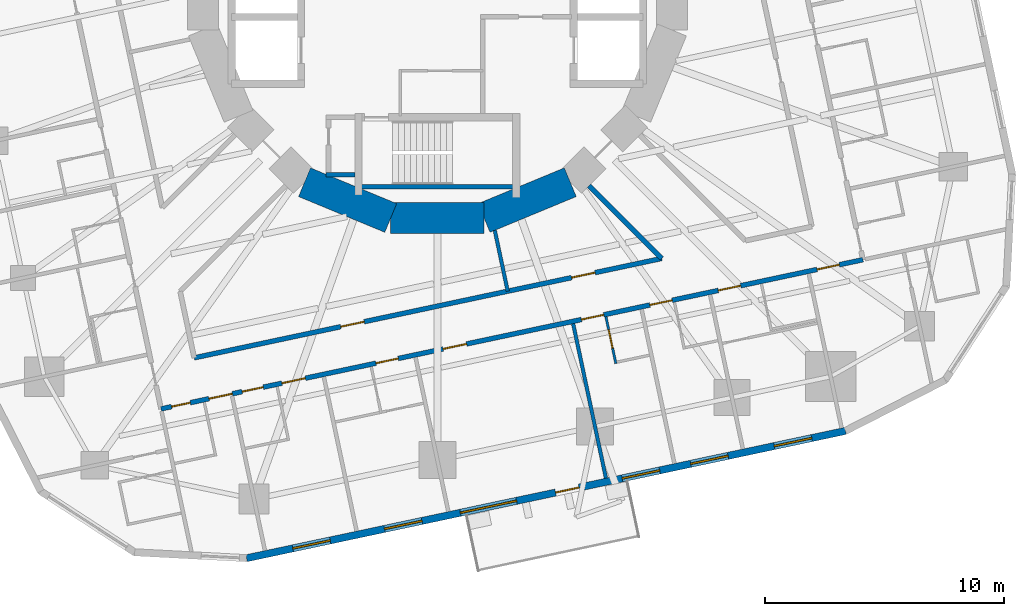
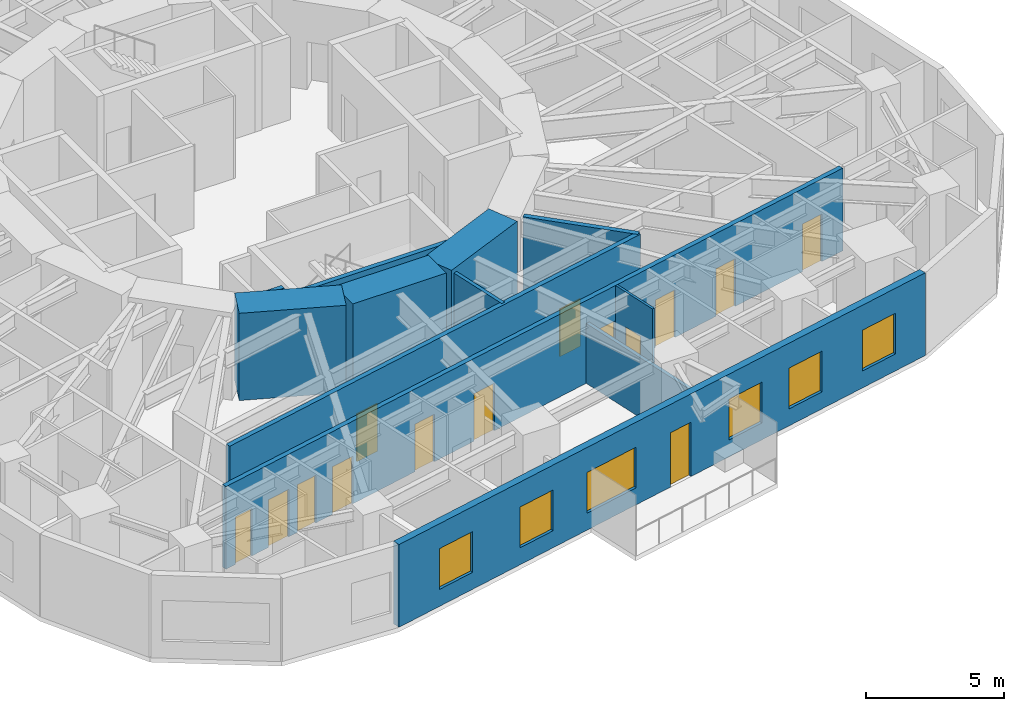
# One storey, part 5 of 14: 14 doors, 12 walls, 6 windows, 20 openings.
"""IFC4 building model written with IfcOpenShell, lengths in metres."""

import ifcopenshell
import ifcopenshell.guid

model = None  # the IFC model being written
_history = None  # IfcOwnerHistory: only IFC2X3 demands one
_inside = {}  # id of a spatial element -> (the spatial element, [elements in it])
_under = {}  # id of a project, library or spatial element -> (it, [spatial elements below it])
_declared = {}  # id of a project -> (the project, [libraries it declares])
_typed = {}  # id of a type object -> (the type object, [elements of that type])
_made_of = {}  # id of a material, layer set ... -> (it, [elements and type objects made of it])


def new_model(schema):
    """Start an empty IFC model of exactly this schema.

    Asked for "IFC4X3", IfcOpenShell would pick the latest addendum, in which some entities
    have other attributes; the version numbers below select the first issue.
    IFC2X3 requires an IfcOwnerHistory on every rooted entity: one is made here for all.
    """
    global model, _history
    if schema == "IFC4X3":
        model = ifcopenshell.file(schema_version=(4, 3, 0, 0))
    else:
        model = ifcopenshell.file(schema=schema)
    _inside.clear()
    _under.clear()
    _declared.clear()
    _typed.clear()
    _made_of.clear()
    _history = None
    if model.schema == "IFC2X3":
        org = make("IfcOrganization", Name="unknown")
        user = make(
            "IfcPersonAndOrganization",
            ThePerson=make("IfcPerson", FamilyName="unknown"),
            TheOrganization=org,
        )
        app = make(
            "IfcApplication",
            ApplicationDeveloper=org,
            Version="unknown",
            ApplicationFullName="unknown",
            ApplicationIdentifier="unknown",
        )
        _history = make(
            "IfcOwnerHistory",
            OwningUser=user,
            OwningApplication=app,
            ChangeAction="ADDED",
            CreationDate=0,
        )
    return model


def make(cls, **values):
    """One entity of the class cls with the attributes given. An attribute that is None is left unset."""
    return model.create_entity(
        cls, **{name: value for name, value in values.items() if value is not None}
    )


def rooted(cls, **values):
    """An entity with a GlobalId (a new one), such as an element, a storey or a relation."""
    return make(cls, GlobalId=ifcopenshell.guid.new(), OwnerHistory=_history, **values)


def si_unit(unit_type, name, prefix=None):
    """IfcSIUnit, for example si_unit("LENGTHUNIT", "METRE", prefix="MILLI")."""
    return make("IfcSIUnit", UnitType=unit_type, Prefix=prefix, Name=name)


def assignment(units):
    """IfcUnitAssignment: the units of a project."""
    return None if units is None else make("IfcUnitAssignment", Units=units)


def point(xyz):
    """IfcCartesianPoint."""
    return None if xyz is None else make("IfcCartesianPoint", Coordinates=xyz)


def direction(xyz):
    """IfcDirection."""
    return None if xyz is None else make("IfcDirection", DirectionRatios=xyz)


def frame(location, z_axis=None, x_axis=None):
    """IfcAxis2Placement3D, a coordinate frame: its origin and axes. An axis left out is left unset."""
    return make(
        "IfcAxis2Placement3D",
        Location=point(location),
        Axis=direction(z_axis),
        RefDirection=direction(x_axis),
    )


def frame_2d(location, x_axis=None):
    """IfcAxis2Placement2D, a coordinate frame in the plane: its origin and x axis."""
    return make(
        "IfcAxis2Placement2D", Location=point(location), RefDirection=direction(x_axis)
    )


def origin():
    """The frame at (0, 0, 0) with its axes left unset."""
    return frame((0.0, 0.0, 0.0))


def place(relative_to, where):
    """IfcLocalPlacement: puts the frame where relative to a parent placement (None: the world)."""
    return make(
        "IfcLocalPlacement", PlacementRelTo=relative_to, RelativePlacement=where
    )


def context(
    kind, dimensions, precision=None, world=None, true_north=None, identifier=None
):
    """IfcGeometricRepresentationContext, for example the 3D "Model" context."""
    return make(
        "IfcGeometricRepresentationContext",
        ContextIdentifier=identifier,
        ContextType=kind,
        CoordinateSpaceDimension=dimensions,
        Precision=precision,
        WorldCoordinateSystem=world,
        TrueNorth=true_north,
    )


def subcontext(parent, identifier, kind, view, scale=None):
    """IfcGeometricRepresentationSubContext, for example "Body" below "Model"."""
    return make(
        "IfcGeometricRepresentationSubContext",
        ContextIdentifier=identifier,
        ContextType=kind,
        ParentContext=parent,
        TargetScale=scale,
        TargetView=view,
    )


def project(units=None, contexts=None):
    """IfcProject with its units and contexts."""
    return rooted(
        "IfcProject",
        Name="project",
        RepresentationContexts=contexts,
        UnitsInContext=assignment(units),
    )


def spatial(cls, under=None, at=None, **own):
    """A site, building, storey or space (cls), placed at a placement, below another one or the project."""
    s = rooted(cls, ObjectPlacement=at, **own)
    if under is not None:
        _under.setdefault(under.id(), (under, []))[1].append(s)
    return s


def profile(cls, at=None, kind="AREA", **sizes):
    """A parametric profile (cls). Its sizes go by their IFC names, for example OverallWidth=200.0."""
    return make(cls, ProfileType=kind, Position=at, **sizes)


def rectangle(**sizes):
    """IfcRectangleProfileDef."""
    return profile("IfcRectangleProfileDef", **sizes)


def extrude(swept, where, along, depth):
    """IfcExtrudedAreaSolid: the profile swept, set in the frame where, extruded along a direction by depth."""
    return make(
        "IfcExtrudedAreaSolid",
        SweptArea=swept,
        Position=where,
        ExtrudedDirection=direction(along),
        Depth=depth,
    )


def shape(context_of_items, identifier, shape_type, items):
    """IfcShapeRepresentation: the items that make up one representation, for example the "Body"."""
    return make(
        "IfcShapeRepresentation",
        ContextOfItems=context_of_items,
        RepresentationIdentifier=identifier,
        RepresentationType=shape_type,
        Items=items,
    )


def material(Name=None, Category=None):
    """IfcMaterial."""
    return make("IfcMaterial", Name=Name, Category=Category)


def layer(
    of_material, thickness, ventilated=None, Name=None, Category=None, Priority=None
):
    """IfcMaterialLayer: one layer of a wall or slab, of a material (None: an air gap)."""
    return make(
        "IfcMaterialLayer",
        Material=of_material,
        LayerThickness=thickness,
        IsVentilated=ventilated,
        Name=Name,
        Category=Category,
        Priority=Priority,
    )


def layer_set(layers, Name=None):
    """IfcMaterialLayerSet."""
    return make("IfcMaterialLayerSet", MaterialLayers=layers, LayerSetName=Name)


def made_of(thing, what):
    """Note that an element or type object is made of a material, layer set ...; save() writes the relation."""
    if what is not None:
        _made_of.setdefault(what.id(), (what, []))[1].append(thing)
    return thing


def type_object(cls, material=None, **own):
    """A type object (cls), such as IfcWallType, which elements share."""
    return made_of(rooted(cls, **own), material)


def element(
    cls,
    number,
    at=None,
    inside=None,
    cuts=None,
    type_object=None,
    material=None,
    context=None,
    identifier="Body",
    shape_type=None,
    held_by="IfcProductDefinitionShape",
    body=None,
    shapes=None,
    **own,
):
    """One element of the class cls, such as IfcWall. Its Tag is "e" and its number.

    at: its placement. inside: the storey or other place that contains it. cuts: it is an
    opening in that element (IfcRelVoidsElement). A single representation is given by context,
    identifier, shape_type and body (its items); several are given by shapes. held_by: the class
    of the entity that holds the representations. save() writes the other relations.
    """
    e = rooted(cls, Tag="e%d" % number, ObjectPlacement=at, **own)
    if body is not None:
        shapes = [shape(context, identifier, shape_type, body)]
    if shapes is not None:
        e.Representation = make(held_by, Representations=shapes)
    if inside is not None:
        _inside.setdefault(inside.id(), (inside, []))[1].append(e)
    if cuts is not None:
        rooted(
            "IfcRelVoidsElement", RelatingBuildingElement=cuts, RelatedOpeningElement=e
        )
    if type_object is not None:
        _typed.setdefault(type_object.id(), (type_object, []))[1].append(e)
    return made_of(e, material)


def fill(opening, filler):
    """IfcRelFillsElement: the door or window that sits in an opening."""
    return rooted(
        "IfcRelFillsElement",
        RelatingOpeningElement=opening,
        RelatedBuildingElement=filler,
    )


def aggregate(whole, parts):
    """IfcRelAggregates: a whole, such as a stair, and the parts it consists of."""
    return rooted("IfcRelAggregates", RelatingObject=whole, RelatedObjects=parts)


def save(model, path):
    """Write the relations noted so far, then the file.

    IfcRelAggregates (storeys below a building ...), IfcRelContainedInSpatialStructure (elements
    in a storey), IfcRelDefinesByType, IfcRelAssociatesMaterial and IfcRelDeclares: one each for
    every whole, place, type object, material and project.
    """
    for whole, parts in _under.values():
        aggregate(whole, parts)
    for where, things in _inside.values():
        rooted(
            "IfcRelContainedInSpatialStructure",
            RelatedElements=things,
            RelatingStructure=where,
        )
    for kind, things in _typed.values():
        rooted("IfcRelDefinesByType", RelatedObjects=things, RelatingType=kind)
    for what, things in _made_of.values():
        rooted("IfcRelAssociatesMaterial", RelatedObjects=things, RelatingMaterial=what)
    for by, libraries in _declared.values():
        rooted("IfcRelDeclares", RelatingContext=by, RelatedDefinitions=libraries)
    model.write(path)


model = new_model("IFC4")

# Units and contexts
model_context = context("Model", 3, precision=1e-05, world=origin(), true_north=direction((0.0, 1.0)))
body_context = subcontext(model_context, "Body", "Model", "MODEL_VIEW")
ifc_project = project(units=[si_unit("LENGTHUNIT", "METRE"), si_unit("AREAUNIT", "SQUARE_METRE"), si_unit("VOLUMEUNIT", "CUBIC_METRE"), si_unit("PLANEANGLEUNIT", "RADIAN"), si_unit("MASSUNIT", "GRAM", prefix="KILO")], contexts=[model_context])

# Site, building, storey
site_placement = place(None, origin())
site = spatial("IfcSite", under=ifc_project, at=site_placement, CompositionType="ELEMENT")
building_placement = place(site_placement, origin())
building = spatial("IfcBuilding", under=site, at=building_placement, Name="Nakasero Lantern House", CompositionType="ELEMENT")
storey_placement = place(building_placement, frame((0.0, 0.0, 120.39990234375)))
storey = spatial("IfcBuildingStorey", under=building, at=storey_placement, Name="L29", CompositionType="ELEMENT", Elevation=120.39990234375)

# Walls
ifc_material_1 = material(Name="Concrete C50/60", Category="concrete")
ifc_layer_1 = layer(ifc_material_1, 1.300048828125)
ifc_layer_set_1 = layer_set([ifc_layer_1], Name="Core wall 1300")
wall_type_1 = type_object("IfcWallType", Name="Core wall 1300", PredefinedType="SHEAR", material=ifc_layer_set_1)
for number, where, z_axis, x_axis, name in (
    (1, (-5.5556640625, -8.314697265625, 0.0), (0.0, 0.0, 1.0), (0.923876507187, -0.382690736062, 0.0), "Core wall L29 facet 11"),
    (2, (-1.950927734375, -9.807861328125, 0.0), (0.0, 0.0, 1.0), (1.0, 0.0, 0.0), "Core wall L29 facet 12"),
    (3, (1.950927734375, -9.807861328125, 0.0), (0.0, 0.0, 1.0), (0.923876507187, 0.382690736062, 0.0), "Core wall L29 facet 13"),
):
    element("IfcWall", number, at=place(storey_placement, frame(where, z_axis=z_axis, x_axis=x_axis)), inside=storey, type_object=wall_type_1, Name=name, PredefinedType="SHEAR", context=body_context, shape_type="SweptSolid", body=[
        extrude(rectangle(XDim=3.90185546875, YDim=1.300048828125, at=frame_2d((1.950927734375, 0.0))), origin(), (0.0, 0.0, 1.0), 3.85009765625),
    ])

# Wall, openings, doors
ifc_material_2 = material(Name="Blockwork", Category="masonry")
ifc_layer_2 = layer(ifc_material_2, 0.199951171875)
ifc_layer_set_2 = layer_set([ifc_layer_2], Name="Corridor wall 200")
wall_type_2 = type_object("IfcWallType", Name="Corridor wall 200", PredefinedType="PARTITIONING", material=ifc_layer_set_2)
wall_1_placement = place(storey_placement, frame((-11.553466796875, -17.790771484375, 0.0), z_axis=(0.0, 0.0, 1.0), x_axis=(0.978147639417, 0.207911508826, 0.0)))
wall_1 = element("IfcWall", 4, at=wall_1_placement, inside=storey, type_object=wall_type_2, Name="Corridor wall L29 CW3", PredefinedType="PARTITIONING", context=body_context, shape_type="SweptSolid", body=[
    extrude(rectangle(XDim=29.999755859375, YDim=0.199951171875, at=frame_2d((15.0, 0.0))), origin(), (0.0, 0.0, 1.0), 3.650146484375),
])
opening_1_placement = place(wall_1_placement, frame((0.449951171875, 0.0, 0.0)))
opening_1 = element("IfcOpeningElement", 5, at=opening_1_placement, cuts=wall_1, Name="Opening D15", PredefinedType="OPENING", context=body_context, shape_type="SweptSolid", body=[
    extrude(rectangle(XDim=0.800048828125, YDim=2.10009765625, at=frame_2d((0.39990234375, 1.050048828125))), frame((0.0, 0.119873046875, 0.0), z_axis=(0.0, -1.0, 0.0), x_axis=(1.0, 0.0, 0.0)), (0.0, 0.0, 1.0), 0.239990234375),
])
opening_2_placement = place(wall_1_placement, frame((2.050048828125, 0.0, 0.0)))
opening_2 = element("IfcOpeningElement", 6, at=opening_2_placement, cuts=wall_1, Name="Opening D07", PredefinedType="OPENING", context=body_context, shape_type="SweptSolid", body=[
    extrude(rectangle(XDim=1.0, YDim=2.10009765625, at=frame_2d((0.5, 1.050048828125))), frame((0.0, 0.119873046875, 0.0), z_axis=(0.0, -1.0, 0.0), x_axis=(1.0, 0.0, 0.0)), (0.0, 0.0, 1.0), 0.239990234375),
])
opening_3_placement = place(wall_1_placement, frame((3.466064453125, 0.0, 0.0)))
opening_3 = element("IfcOpeningElement", 7, at=opening_3_placement, cuts=wall_1, Name="Opening D16", PredefinedType="OPENING", context=body_context, shape_type="SweptSolid", body=[
    extrude(rectangle(XDim=0.89990234375, YDim=2.10009765625, at=frame_2d((0.449951171875, 1.050048828125))), frame((0.0, 0.119873046875, 0.0), z_axis=(0.0, -1.0, 0.0), x_axis=(1.0, 0.0, 0.0)), (0.0, 0.0, 1.0), 0.239990234375),
])
opening_4_placement = place(wall_1_placement, frame((5.166015625, 0.0, 0.0)))
opening_4 = element("IfcOpeningElement", 8, at=opening_4_placement, cuts=wall_1, Name="Opening D07", PredefinedType="OPENING", context=body_context, shape_type="SweptSolid", body=[
    extrude(rectangle(XDim=1.0, YDim=2.10009765625, at=frame_2d((0.5, 1.050048828125))), frame((0.0, 0.119873046875, 0.0), z_axis=(0.0, -1.0, 0.0), x_axis=(1.0, 0.0, 0.0)), (0.0, 0.0, 1.0), 0.239990234375),
])
opening_5_placement = place(wall_1_placement, frame((9.185546875, 0.0, 0.0)))
opening_5 = element("IfcOpeningElement", 9, at=opening_5_placement, cuts=wall_1, Name="Opening D01", PredefinedType="OPENING", context=body_context, shape_type="SweptSolid", body=[
    extrude(rectangle(XDim=0.949951171875, YDim=2.10009765625, at=frame_2d((0.47509765625, 1.050048828125))), frame((0.0, 0.119873046875, 0.0), z_axis=(0.0, -1.0, 0.0), x_axis=(1.0, 0.0, 0.0)), (0.0, 0.0, 1.0), 0.239990234375),
])
opening_6_placement = place(wall_1_placement, frame((17.967529296875, 0.0, 0.0)))
opening_6 = element("IfcOpeningElement", 10, at=opening_6_placement, cuts=wall_1, Name="Opening D01", PredefinedType="OPENING", context=body_context, shape_type="SweptSolid", body=[
    extrude(rectangle(XDim=0.949951171875, YDim=2.10009765625, at=frame_2d((0.47509765625, 1.050048828125))), frame((0.0, 0.119873046875, 0.0), z_axis=(0.0, -1.0, 0.0), x_axis=(1.0, 0.0, 0.0)), (0.0, 0.0, 1.0), 0.239990234375),
])
opening_7_placement = place(wall_1_placement, frame((20.89404296875, 0.0, 0.0)))
opening_7 = element("IfcOpeningElement", 11, at=opening_7_placement, cuts=wall_1, Name="Opening D01", PredefinedType="OPENING", context=body_context, shape_type="SweptSolid", body=[
    extrude(rectangle(XDim=0.949951171875, YDim=2.10009765625, at=frame_2d((0.47509765625, 1.050048828125))), frame((0.0, 0.119873046875, 0.0), z_axis=(0.0, -1.0, 0.0), x_axis=(1.0, 0.0, 0.0)), (0.0, 0.0, 1.0), 0.239990234375),
])
opening_8_placement = place(wall_1_placement, frame((23.8203125, 0.0, 0.0)))
opening_8 = element("IfcOpeningElement", 12, at=opening_8_placement, cuts=wall_1, Name="Opening D01", PredefinedType="OPENING", context=body_context, shape_type="SweptSolid", body=[
    extrude(rectangle(XDim=0.949951171875, YDim=2.10009765625, at=frame_2d((0.47509765625, 1.050048828125))), frame((0.0, 0.119873046875, 0.0), z_axis=(0.0, -1.0, 0.0), x_axis=(1.0, 0.0, 0.0)), (0.0, 0.0, 1.0), 0.239990234375),
])
opening_9_placement = place(wall_1_placement, frame((28.038330078125, 0.0, 0.0)))
opening_9 = element("IfcOpeningElement", 13, at=opening_9_placement, cuts=wall_1, Name="Opening D01", PredefinedType="OPENING", context=body_context, shape_type="SweptSolid", body=[
    extrude(rectangle(XDim=0.949951171875, YDim=2.10009765625, at=frame_2d((0.47509765625, 1.050048828125))), frame((0.0, 0.119873046875, 0.0), z_axis=(0.0, -1.0, 0.0), x_axis=(1.0, 0.0, 0.0)), (0.0, 0.0, 1.0), 0.239990234375),
])
opening_10_placement = place(wall_1_placement, frame((12.05517578125, 0.0, 0.0)))
opening_10 = element("IfcOpeningElement", 14, at=opening_10_placement, cuts=wall_1, Name="Opening D03", PredefinedType="OPENING", context=body_context, shape_type="SweptSolid", body=[
    extrude(rectangle(XDim=1.0, YDim=2.10009765625, at=frame_2d((0.5, 1.050048828125))), frame((0.0, 0.119873046875, 0.0), z_axis=(0.0, -1.0, 0.0), x_axis=(1.0, 0.0, 0.0)), (0.0, 0.0, 1.0), 0.239990234375),
])
ifc_material_3 = material(Name="Timber C24", Category="wood")
door_type_1 = type_object("IfcDoorType", Name="Accessible WC door 900", OperationType="SINGLE_SWING_RIGHT", PredefinedType="DOOR", material=ifc_material_3)
door_1_placement = place(opening_3_placement, origin())
door_1 = element("IfcDoor", 15, at=door_1_placement, inside=storey, type_object=door_type_1, Name="Door L29 DS3-01", OperationType="SINGLE_SWING_LEFT", OverallHeight=2.10009765625, OverallWidth=0.89990234375, PredefinedType="DOOR", context=body_context, shape_type="SweptSolid", body=[
    extrude(rectangle(XDim=0.89990234375, YDim=2.10009765625, at=frame_2d((0.449951171875, 1.050048828125))), frame((0.0, 0.02490234375, 0.0), z_axis=(0.0, -1.0, 0.0), x_axis=(1.0, 0.0, 0.0)), (0.0, 0.0, 1.0), 0.050048828125),
])
fill(opening_3, door_1)
ifc_material_4 = material(Name="Timber C24", Category="wood")
door_type_2 = type_object("IfcDoorType", Name="Bedroom door FD30S 950", OperationType="SINGLE_SWING_LEFT", PredefinedType="DOOR", material=ifc_material_4)
door_2_placement = place(opening_5_placement, origin())
door_2 = element("IfcDoor", 16, at=door_2_placement, inside=storey, type_object=door_type_2, Name="Door L29 D3-02", OperationType="SINGLE_SWING_LEFT", OverallHeight=2.10009765625, OverallWidth=0.949951171875, PredefinedType="DOOR", context=body_context, shape_type="SweptSolid", body=[
    extrude(rectangle(XDim=0.949951171875, YDim=2.10009765625, at=frame_2d((0.47509765625, 1.050048828125))), frame((0.0, 0.02490234375, 0.0), z_axis=(0.0, -1.0, 0.0), x_axis=(1.0, 0.0, 0.0)), (0.0, 0.0, 1.0), 0.050048828125),
])
fill(opening_5, door_2)
door_3_placement = place(opening_6_placement, origin())
door_3 = element("IfcDoor", 17, at=door_3_placement, inside=storey, type_object=door_type_2, Name="Door L29 D3-05", OperationType="SINGLE_SWING_RIGHT", OverallHeight=2.10009765625, OverallWidth=0.949951171875, PredefinedType="DOOR", context=body_context, shape_type="SweptSolid", body=[
    extrude(rectangle(XDim=0.949951171875, YDim=2.10009765625, at=frame_2d((0.47509765625, 1.050048828125))), frame((0.0, 0.02490234375, 0.0), z_axis=(0.0, -1.0, 0.0), x_axis=(1.0, 0.0, 0.0)), (0.0, 0.0, 1.0), 0.050048828125),
])
fill(opening_6, door_3)
door_4_placement = place(opening_7_placement, origin())
door_4 = element("IfcDoor", 18, at=door_4_placement, inside=storey, type_object=door_type_2, Name="Door L29 D3-06", OperationType="SINGLE_SWING_RIGHT", OverallHeight=2.10009765625, OverallWidth=0.949951171875, PredefinedType="DOOR", context=body_context, shape_type="SweptSolid", body=[
    extrude(rectangle(XDim=0.949951171875, YDim=2.10009765625, at=frame_2d((0.47509765625, 1.050048828125))), frame((0.0, 0.02490234375, 0.0), z_axis=(0.0, -1.0, 0.0), x_axis=(1.0, 0.0, 0.0)), (0.0, 0.0, 1.0), 0.050048828125),
])
fill(opening_7, door_4)
door_5_placement = place(opening_8_placement, origin())
door_5 = element("IfcDoor", 19, at=door_5_placement, inside=storey, type_object=door_type_2, Name="Door L29 D3-07", OperationType="SINGLE_SWING_RIGHT", OverallHeight=2.10009765625, OverallWidth=0.949951171875, PredefinedType="DOOR", context=body_context, shape_type="SweptSolid", body=[
    extrude(rectangle(XDim=0.949951171875, YDim=2.10009765625, at=frame_2d((0.47509765625, 1.050048828125))), frame((0.0, 0.02490234375, 0.0), z_axis=(0.0, -1.0, 0.0), x_axis=(1.0, 0.0, 0.0)), (0.0, 0.0, 1.0), 0.050048828125),
])
fill(opening_8, door_5)
door_6_placement = place(opening_9_placement, origin())
door_6 = element("IfcDoor", 20, at=door_6_placement, inside=storey, type_object=door_type_2, Name="Door L29 D3-08", OperationType="SINGLE_SWING_RIGHT", OverallHeight=2.10009765625, OverallWidth=0.949951171875, PredefinedType="DOOR", context=body_context, shape_type="SweptSolid", body=[
    extrude(rectangle(XDim=0.949951171875, YDim=2.10009765625, at=frame_2d((0.47509765625, 1.050048828125))), frame((0.0, 0.02490234375, 0.0), z_axis=(0.0, -1.0, 0.0), x_axis=(1.0, 0.0, 0.0)), (0.0, 0.0, 1.0), 0.050048828125),
])
fill(opening_9, door_6)
ifc_material_5 = material(Name="Timber C24", Category="wood")
door_type_3 = type_object("IfcDoorType", Name="Cleaner's store door FD30S 800", OperationType="SINGLE_SWING_LEFT", PredefinedType="DOOR", material=ifc_material_5)
door_7_placement = place(opening_1_placement, origin())
door_7 = element("IfcDoor", 21, at=door_7_placement, inside=storey, type_object=door_type_3, Name="Door L29 DS3-00", OperationType="SINGLE_SWING_LEFT", OverallHeight=2.10009765625, OverallWidth=0.800048828125, PredefinedType="DOOR", context=body_context, shape_type="SweptSolid", body=[
    extrude(rectangle(XDim=0.800048828125, YDim=2.10009765625, at=frame_2d((0.39990234375, 1.050048828125))), frame((0.0, 0.02490234375, 0.0), z_axis=(0.0, -1.0, 0.0), x_axis=(1.0, 0.0, 0.0)), (0.0, 0.0, 1.0), 0.050048828125),
])
fill(opening_1, door_7)
ifc_material_6 = material(Name="Timber C24", Category="wood")
door_type_4 = type_object("IfcDoorType", Name="Lounge door FD30S 1000", OperationType="SINGLE_SWING_LEFT", PredefinedType="DOOR", material=ifc_material_6)
door_8_placement = place(opening_10_placement, origin())
door_8 = element("IfcDoor", 22, at=door_8_placement, inside=storey, type_object=door_type_4, Name="Door L29 DK3", OperationType="SINGLE_SWING_LEFT", OverallHeight=2.10009765625, OverallWidth=1.0, PredefinedType="DOOR", context=body_context, shape_type="SweptSolid", body=[
    extrude(rectangle(XDim=1.0, YDim=2.10009765625, at=frame_2d((0.5, 1.050048828125))), frame((0.0, 0.02490234375, 0.0), z_axis=(0.0, -1.0, 0.0), x_axis=(1.0, 0.0, 0.0)), (0.0, 0.0, 1.0), 0.050048828125),
])
fill(opening_10, door_8)
ifc_material_7 = material(Name="Timber C24", Category="wood")
door_type_5 = type_object("IfcDoorType", Name="Room door FD30S 1000", OperationType="SINGLE_SWING_LEFT", PredefinedType="DOOR", material=ifc_material_7)
door_9_placement = place(opening_2_placement, origin())
door_9 = element("IfcDoor", 23, at=door_9_placement, inside=storey, type_object=door_type_5, Name="Door L29 D3-00", OperationType="SINGLE_SWING_LEFT", OverallHeight=2.10009765625, OverallWidth=1.0, PredefinedType="DOOR", context=body_context, shape_type="SweptSolid", body=[
    extrude(rectangle(XDim=1.0, YDim=2.10009765625, at=frame_2d((0.5, 1.050048828125))), frame((0.0, 0.02490234375, 0.0), z_axis=(0.0, -1.0, 0.0), x_axis=(1.0, 0.0, 0.0)), (0.0, 0.0, 1.0), 0.050048828125),
])
fill(opening_2, door_9)
door_10_placement = place(opening_4_placement, origin())
door_10 = element("IfcDoor", 24, at=door_10_placement, inside=storey, type_object=door_type_5, Name="Door L29 D3-01", OperationType="SINGLE_SWING_LEFT", OverallHeight=2.10009765625, OverallWidth=1.0, PredefinedType="DOOR", context=body_context, shape_type="SweptSolid", body=[
    extrude(rectangle(XDim=1.0, YDim=2.10009765625, at=frame_2d((0.5, 1.050048828125))), frame((0.0, 0.02490234375, 0.0), z_axis=(0.0, -1.0, 0.0), x_axis=(1.0, 0.0, 0.0)), (0.0, 0.0, 1.0), 0.050048828125),
])
fill(opening_4, door_10)

wall_2_placement = place(storey_placement, frame((-10.1669921875, -15.656005859375, 0.0), z_axis=(0.0, 0.0, 1.0), x_axis=(0.978147920132, 0.20791018816, 0.0)))
wall_2 = element("IfcWall", 25, at=wall_2_placement, inside=storey, type_object=wall_type_2, Name="Corridor wall L29 IW3-0", PredefinedType="PARTITIONING", context=body_context, shape_type="SweptSolid", body=[
    extrude(rectangle(XDim=19.983642578125, YDim=0.199951171875, at=frame_2d((9.99169921875, 0.0))), origin(), (0.0, 0.0, 1.0), 3.650146484375),
])
opening_11_placement = place(wall_2_placement, frame((6.262451171875, 0.0, 0.0)))
opening_11 = element("IfcOpeningElement", 26, at=opening_11_placement, cuts=wall_2, Name="Opening D07", PredefinedType="OPENING", context=body_context, shape_type="SweptSolid", body=[
    extrude(rectangle(XDim=1.0, YDim=2.10009765625, at=frame_2d((0.5, 1.050048828125))), frame((0.0, 0.119873046875, 0.0), z_axis=(0.0, -1.0, 0.0), x_axis=(1.0, 0.0, 0.0)), (0.0, 0.0, 1.0), 0.239990234375),
])
opening_12_placement = place(wall_2_placement, frame((16.12939453125, 0.0, 0.0)))
opening_12 = element("IfcOpeningElement", 27, at=opening_12_placement, cuts=wall_2, Name="Opening D07", PredefinedType="OPENING", context=body_context, shape_type="SweptSolid", body=[
    extrude(rectangle(XDim=1.0, YDim=2.10009765625, at=frame_2d((0.5, 1.050048828125))), frame((0.0, 0.119873046875, 0.0), z_axis=(0.0, -1.0, 0.0), x_axis=(1.0, 0.0, 0.0)), (0.0, 0.0, 1.0), 0.239990234375),
])
door_11_placement = place(opening_11_placement, origin())
door_11 = element("IfcDoor", 28, at=door_11_placement, inside=storey, type_object=door_type_5, Name="Door L29 DI1", OperationType="SINGLE_SWING_LEFT", OverallHeight=2.10009765625, OverallWidth=1.0, PredefinedType="DOOR", context=body_context, shape_type="SweptSolid", body=[
    extrude(rectangle(XDim=1.0, YDim=2.10009765625, at=frame_2d((0.5, 1.050048828125))), frame((0.0, 0.02490234375, 0.0), z_axis=(0.0, -1.0, 0.0), x_axis=(1.0, 0.0, 0.0)), (0.0, 0.0, 1.0), 0.050048828125),
])
fill(opening_11, door_11)
door_12_placement = place(opening_12_placement, origin())
door_12 = element("IfcDoor", 29, at=door_12_placement, inside=storey, type_object=door_type_5, Name="Door L29 DI2", OperationType="SINGLE_SWING_RIGHT", OverallHeight=2.10009765625, OverallWidth=1.0, PredefinedType="DOOR", context=body_context, shape_type="SweptSolid", body=[
    extrude(rectangle(XDim=1.0, YDim=2.10009765625, at=frame_2d((0.5, 1.050048828125))), frame((0.0, 0.02490234375, 0.0), z_axis=(0.0, -1.0, 0.0), x_axis=(1.0, 0.0, 0.0)), (0.0, 0.0, 1.0), 0.050048828125),
])
fill(opening_12, door_12)

# Wall
wall_3_placement = place(storey_placement, frame((6.334228515625, -8.45556640625, 0.0), z_axis=(0.0, 0.0, 1.0), x_axis=(0.707106781187, -0.707106781187, 0.0)))
element("IfcWall", 30, at=wall_3_placement, inside=storey, type_object=wall_type_2, Name="Corridor wall L29 PS14b", PredefinedType="PARTITIONING", context=body_context, shape_type="SweptSolid", body=[
    extrude(rectangle(XDim=4.30712890625, YDim=0.199951171875, at=frame_2d((2.153564453125, 0.0))), origin(), (0.0, 0.0, 1.0), 3.650146484375),
])

# Wall, opening, door
ifc_material_8 = material(Name="Blockwork", Category="masonry")
ifc_layer_3 = layer(ifc_material_8, 0.10009765625)
ifc_layer_set_3 = layer_set([ifc_layer_3], Name="En-suite wall 100")
wall_type_3 = type_object("IfcWallType", Name="En-suite wall 100", PredefinedType="PARTITIONING", material=ifc_layer_set_3)
wall_4_placement = place(storey_placement, frame((7.046142578125, -13.939697265625, 0.0), z_axis=(0.0, 0.0, 1.0), x_axis=(0.207886494942, -0.978152955943, 0.0)))
wall_4 = element("IfcWall", 31, at=wall_4_placement, inside=storey, type_object=wall_type_3, Name="En-suite wall L29 ES3-05", PredefinedType="PARTITIONING", context=body_context, shape_type="SweptSolid", body=[
    extrude(rectangle(XDim=2.0, YDim=0.10009765625, at=frame_2d((1.0, 0.0))), origin(), (0.0, 0.0, 1.0), 3.650146484375),
])
opening_13_placement = place(wall_4_placement, frame((0.550048828125, 0.0, 0.0)))
opening_13 = element("IfcOpeningElement", 32, at=opening_13_placement, cuts=wall_4, Name="Opening D02", PredefinedType="OPENING", context=body_context, shape_type="SweptSolid", body=[
    extrude(rectangle(XDim=0.800048828125, YDim=2.10009765625, at=frame_2d((0.39990234375, 1.050048828125))), frame((0.0, 0.070068359375, 0.0), z_axis=(0.0, -1.0, 0.0), x_axis=(1.0, 0.0, 0.0)), (0.0, 0.0, 1.0), 0.14013671875),
])
ifc_material_9 = material(Name="Timber C24", Category="wood")
door_type_6 = type_object("IfcDoorType", Name="En-suite door 800", OperationType="SINGLE_SWING_RIGHT", PredefinedType="DOOR", material=ifc_material_9)
door_13_placement = place(opening_13_placement, origin())
door_13 = element("IfcDoor", 33, at=door_13_placement, inside=storey, type_object=door_type_6, Name="Door L29 DE3-05", OperationType="SINGLE_SWING_LEFT", OverallHeight=2.10009765625, OverallWidth=0.800048828125, PredefinedType="DOOR", context=body_context, shape_type="SweptSolid", body=[
    extrude(rectangle(XDim=0.800048828125, YDim=2.10009765625, at=frame_2d((0.39990234375, 1.050048828125))), frame((0.0, 0.02490234375, 0.0), z_axis=(0.0, -1.0, 0.0), x_axis=(1.0, 0.0, 0.0)), (0.0, 0.0, 1.0), 0.050048828125),
])
fill(opening_13, door_13)

# Wall, openings, door, windows
ifc_material_10 = material(Name="Aluminium rainscreen on blockwork", Category="masonry")
ifc_layer_4 = layer(ifc_material_10, 0.300048828125)
ifc_layer_set_4 = layer_set([ifc_layer_4], Name="Facade wall 300")
wall_type_4 = type_object("IfcWallType", Name="Facade wall 300", PredefinedType="SOLIDWALL", material=ifc_layer_set_4)
wall_5_placement = place(storey_placement, frame((-7.9775390625, -24.03369140625, 0.0), z_axis=(0.0, 0.0, 1.0), x_axis=(0.978148160964, 0.207909055127, 0.0)))
wall_5 = element("IfcWall", 34, at=wall_5_placement, inside=storey, type_object=wall_type_4, Name="Facade wall L29 FW3S", PredefinedType="SOLIDWALL", context=body_context, shape_type="SweptSolid", body=[
    extrude(rectangle(XDim=25.60009765625, YDim=0.300048828125, at=frame_2d((12.800048828125, 0.0))), origin(), (0.0, 0.0, 1.0), 3.650146484375),
])
opening_14_placement = place(wall_5_placement, frame((1.975830078125, 0.0, 0.75)))
opening_14 = element("IfcOpeningElement", 35, at=opening_14_placement, cuts=wall_5, Name="Opening W01", PredefinedType="OPENING", context=body_context, shape_type="SweptSolid", body=[
    extrude(rectangle(XDim=1.60009765625, YDim=1.800048828125, at=frame_2d((0.800048828125, 0.89990234375))), frame((0.0, 0.169921875, 0.0), z_axis=(0.0, -1.0, 0.0), x_axis=(1.0, 0.0, 0.0)), (0.0, 0.0, 1.0), 0.340087890625),
])
opening_15_placement = place(wall_5_placement, frame((5.8955078125, 0.0, 0.75)))
opening_15 = element("IfcOpeningElement", 36, at=opening_15_placement, cuts=wall_5, Name="Opening W01", PredefinedType="OPENING", context=body_context, shape_type="SweptSolid", body=[
    extrude(rectangle(XDim=1.60009765625, YDim=1.800048828125, at=frame_2d((0.800048828125, 0.89990234375))), frame((0.0, 0.169921875, 0.0), z_axis=(0.0, -1.0, 0.0), x_axis=(1.0, 0.0, 0.0)), (0.0, 0.0, 1.0), 0.340087890625),
])
opening_16_placement = place(wall_5_placement, frame((16.0556640625, 0.0, 0.75)))
opening_16 = element("IfcOpeningElement", 37, at=opening_16_placement, cuts=wall_5, Name="Opening W01", PredefinedType="OPENING", context=body_context, shape_type="SweptSolid", body=[
    extrude(rectangle(XDim=1.60009765625, YDim=1.800048828125, at=frame_2d((0.800048828125, 0.89990234375))), frame((0.0, 0.169921875, 0.0), z_axis=(0.0, -1.0, 0.0), x_axis=(1.0, 0.0, 0.0)), (0.0, 0.0, 1.0), 0.340087890625),
])
opening_17_placement = place(wall_5_placement, frame((18.982177734375, 0.0, 0.75)))
opening_17 = element("IfcOpeningElement", 38, at=opening_17_placement, cuts=wall_5, Name="Opening W01", PredefinedType="OPENING", context=body_context, shape_type="SweptSolid", body=[
    extrude(rectangle(XDim=1.60009765625, YDim=1.800048828125, at=frame_2d((0.800048828125, 0.89990234375))), frame((0.0, 0.169921875, 0.0), z_axis=(0.0, -1.0, 0.0), x_axis=(1.0, 0.0, 0.0)), (0.0, 0.0, 1.0), 0.340087890625),
])
opening_18_placement = place(wall_5_placement, frame((22.554443359375, 0.0, 0.75)))
opening_18 = element("IfcOpeningElement", 39, at=opening_18_placement, cuts=wall_5, Name="Opening W01", PredefinedType="OPENING", context=body_context, shape_type="SweptSolid", body=[
    extrude(rectangle(XDim=1.60009765625, YDim=1.800048828125, at=frame_2d((0.800048828125, 0.89990234375))), frame((0.0, 0.169921875, 0.0), z_axis=(0.0, -1.0, 0.0), x_axis=(1.0, 0.0, 0.0)), (0.0, 0.0, 1.0), 0.340087890625),
])
opening_19_placement = place(wall_5_placement, frame((9.139404296875, 0.0, 0.75)))
opening_19 = element("IfcOpeningElement", 40, at=opening_19_placement, cuts=wall_5, Name="Opening W03", PredefinedType="OPENING", context=body_context, shape_type="SweptSolid", body=[
    extrude(rectangle(XDim=2.39990234375, YDim=1.800048828125, at=frame_2d((1.199951171875, 0.89990234375))), frame((0.0, 0.169921875, 0.0), z_axis=(0.0, -1.0, 0.0), x_axis=(1.0, 0.0, 0.0)), (0.0, 0.0, 1.0), 0.340087890625),
])
opening_20_placement = place(wall_5_placement, frame((13.208251953125, 0.0, 0.0)))
opening_20 = element("IfcOpeningElement", 41, at=opening_20_placement, cuts=wall_5, Name="Opening D04", PredefinedType="OPENING", context=body_context, shape_type="SweptSolid", body=[
    extrude(rectangle(XDim=1.0, YDim=2.39990234375, at=frame_2d((0.5, 1.199951171875))), frame((0.0, 0.169921875, 0.0), z_axis=(0.0, -1.0, 0.0), x_axis=(1.0, 0.0, 0.0)), (0.0, 0.0, 1.0), 0.340087890625),
])
ifc_material_11 = material(Name="Aluminium 6063-T6 and glass", Category="aluminium")
door_type_7 = type_object("IfcDoorType", Name="Balcony door 1000x2400", OperationType="SINGLE_SWING_RIGHT", PredefinedType="DOOR", material=ifc_material_11)
door_14_placement = place(opening_20_placement, origin())
door_14 = element("IfcDoor", 42, at=door_14_placement, inside=storey, type_object=door_type_7, Name="Balcony door L29 DB3", OperationType="SINGLE_SWING_RIGHT", OverallHeight=2.39990234375, OverallWidth=1.0, PredefinedType="DOOR", context=body_context, shape_type="SweptSolid", body=[
    extrude(rectangle(XDim=1.0, YDim=2.39990234375, at=frame_2d((0.5, 1.199951171875))), frame((0.0, 0.02490234375, 0.0), z_axis=(0.0, -1.0, 0.0), x_axis=(1.0, 0.0, 0.0)), (0.0, 0.0, 1.0), 0.050048828125),
])
fill(opening_20, door_14)
ifc_material_12 = material(Name="Aluminium 6063-T6 and glass", Category="aluminium")
window_type_1 = type_object("IfcWindowType", Name="Bedroom window 1600x1800", PartitioningType="SINGLE_PANEL", PredefinedType="WINDOW", material=ifc_material_12)
window_1_placement = place(opening_14_placement, origin())
window_1 = element("IfcWindow", 43, at=window_1_placement, inside=storey, type_object=window_type_1, Name="Window L29 WN3-01", OverallHeight=1.800048828125, OverallWidth=1.60009765625, PartitioningType="SINGLE_PANEL", PredefinedType="WINDOW", context=body_context, shape_type="SweptSolid", body=[
    extrude(rectangle(XDim=1.60009765625, YDim=1.800048828125, at=frame_2d((0.800048828125, 0.89990234375))), frame((0.0, 0.030029296875, 0.0), z_axis=(0.0, -1.0, 0.0), x_axis=(1.0, 0.0, 0.0)), (0.0, 0.0, 1.0), 0.06005859375),
])
fill(opening_14, window_1)
window_2_placement = place(opening_15_placement, origin())
window_2 = element("IfcWindow", 44, at=window_2_placement, inside=storey, type_object=window_type_1, Name="Window L29 WN3-02", OverallHeight=1.800048828125, OverallWidth=1.60009765625, PartitioningType="SINGLE_PANEL", PredefinedType="WINDOW", context=body_context, shape_type="SweptSolid", body=[
    extrude(rectangle(XDim=1.60009765625, YDim=1.800048828125, at=frame_2d((0.800048828125, 0.89990234375))), frame((0.0, 0.030029296875, 0.0), z_axis=(0.0, -1.0, 0.0), x_axis=(1.0, 0.0, 0.0)), (0.0, 0.0, 1.0), 0.06005859375),
])
fill(opening_15, window_2)
window_3_placement = place(opening_16_placement, origin())
window_3 = element("IfcWindow", 45, at=window_3_placement, inside=storey, type_object=window_type_1, Name="Window L29 WN3-05", OverallHeight=1.800048828125, OverallWidth=1.60009765625, PartitioningType="SINGLE_PANEL", PredefinedType="WINDOW", context=body_context, shape_type="SweptSolid", body=[
    extrude(rectangle(XDim=1.60009765625, YDim=1.800048828125, at=frame_2d((0.800048828125, 0.89990234375))), frame((0.0, 0.030029296875, 0.0), z_axis=(0.0, -1.0, 0.0), x_axis=(1.0, 0.0, 0.0)), (0.0, 0.0, 1.0), 0.06005859375),
])
fill(opening_16, window_3)
window_4_placement = place(opening_17_placement, origin())
window_4 = element("IfcWindow", 46, at=window_4_placement, inside=storey, type_object=window_type_1, Name="Window L29 WN3-06", OverallHeight=1.800048828125, OverallWidth=1.60009765625, PartitioningType="SINGLE_PANEL", PredefinedType="WINDOW", context=body_context, shape_type="SweptSolid", body=[
    extrude(rectangle(XDim=1.60009765625, YDim=1.800048828125, at=frame_2d((0.800048828125, 0.89990234375))), frame((0.0, 0.030029296875, 0.0), z_axis=(0.0, -1.0, 0.0), x_axis=(1.0, 0.0, 0.0)), (0.0, 0.0, 1.0), 0.06005859375),
])
fill(opening_17, window_4)
window_5_placement = place(opening_18_placement, origin())
window_5 = element("IfcWindow", 47, at=window_5_placement, inside=storey, type_object=window_type_1, Name="Window L29 WN3-07", OverallHeight=1.800048828125, OverallWidth=1.60009765625, PartitioningType="SINGLE_PANEL", PredefinedType="WINDOW", context=body_context, shape_type="SweptSolid", body=[
    extrude(rectangle(XDim=1.60009765625, YDim=1.800048828125, at=frame_2d((0.800048828125, 0.89990234375))), frame((0.0, 0.030029296875, 0.0), z_axis=(0.0, -1.0, 0.0), x_axis=(1.0, 0.0, 0.0)), (0.0, 0.0, 1.0), 0.06005859375),
])
fill(opening_18, window_5)
ifc_material_13 = material(Name="Aluminium 6063-T6 and glass", Category="aluminium")
window_type_2 = type_object("IfcWindowType", Name="Lounge window 2400x1800", PartitioningType="SINGLE_PANEL", PredefinedType="WINDOW", material=ifc_material_13)
window_6_placement = place(opening_19_placement, origin())
window_6 = element("IfcWindow", 48, at=window_6_placement, inside=storey, type_object=window_type_2, Name="Window L29 WK3", OverallHeight=1.800048828125, OverallWidth=2.39990234375, PartitioningType="SINGLE_PANEL", PredefinedType="WINDOW", context=body_context, shape_type="SweptSolid", body=[
    extrude(rectangle(XDim=2.39990234375, YDim=1.800048828125, at=frame_2d((1.199951171875, 0.89990234375))), frame((0.0, 0.030029296875, 0.0), z_axis=(0.0, -1.0, 0.0), x_axis=(1.0, 0.0, 0.0)), (0.0, 0.0, 1.0), 0.06005859375),
])
fill(opening_19, window_6)

# Walls
ifc_material_14 = material(Name="Blockwork", Category="masonry")
ifc_layer_5 = layer(ifc_material_14, 0.199951171875)
ifc_layer_set_5 = layer_set([ifc_layer_5], Name="Fire lobby wall 200")
wall_type_5 = type_object("IfcWallType", Name="Fire lobby wall 200", PredefinedType="PARTITIONING", material=ifc_layer_set_5)
wall_6_placement = place(storey_placement, frame((-3.449951171875, -8.0, 0.0), z_axis=(0.0, 0.0, 1.0), x_axis=(-1.0, 0.0, 0.0)))
element("IfcWall", 49, at=wall_6_placement, inside=storey, type_object=wall_type_5, Name="Fire lobby wall L29 W-RS2S", PredefinedType="PARTITIONING", context=body_context, shape_type="SweptSolid", body=[
    extrude(rectangle(XDim=1.199951171875, YDim=0.199951171875, at=frame_2d((0.60009765625, 0.0))), origin(), (0.0, 0.0, 1.0), 3.650146484375),
])
wall_7_placement = place(storey_placement, frame((-3.300048828125, -8.5, 0.0), z_axis=(0.0, 0.0, 1.0), x_axis=(1.0, 0.0, 0.0)))
element("IfcWall", 50, at=wall_7_placement, inside=storey, type_object=wall_type_5, Name="Fire lobby wall L29 W-STS", PredefinedType="PARTITIONING", context=body_context, shape_type="SweptSolid", body=[
    extrude(rectangle(XDim=6.60009765625, YDim=0.199951171875, at=frame_2d((3.300048828125, 0.0))), origin(), (0.0, 0.0, 1.0), 3.650146484375),
])
ifc_material_15 = material(Name="Blockwork", Category="masonry")
ifc_layer_6 = layer(ifc_material_15, 0.14990234375)
ifc_layer_set_6 = layer_set([ifc_layer_6], Name="Party wall 150")
wall_type_6 = type_object("IfcWallType", Name="Party wall 150", PredefinedType="PARTITIONING", material=ifc_layer_set_6)
wall_8_placement = place(storey_placement, frame((5.67529296875, -14.23095703125, 0.0), z_axis=(0.0, 0.0, 1.0), x_axis=(0.207924673876, -0.978144841009, 0.0)))
element("IfcWall", 51, at=wall_8_placement, inside=storey, type_object=wall_type_6, Name="Party wall L29 PW3-05", PredefinedType="PARTITIONING", context=body_context, shape_type="SweptSolid", body=[
    extrude(rectangle(XDim=6.60009765625, YDim=0.14990234375, at=frame_2d((3.300048828125, 0.0))), origin(), (0.0, 0.0, 1.0), 2.64208984375),
])
wall_9_placement = place(storey_placement, frame((2.940185546875, -12.869873046875, 0.0), z_axis=(0.0, 0.0, 1.0), x_axis=(-0.207996830597, 0.978129499842, 0.0)))
element("IfcWall", 52, at=wall_9_placement, inside=storey, type_object=wall_type_6, Name="Party wall L29 IM3", PredefinedType="PARTITIONING", context=body_context, shape_type="SweptSolid", body=[
    extrude(rectangle(XDim=2.60107421875, YDim=0.14990234375, at=frame_2d((1.300537109375, 0.0))), origin(), (0.0, 0.0, 1.0), 3.650146484375),
])

save(model, "model.ifc")
